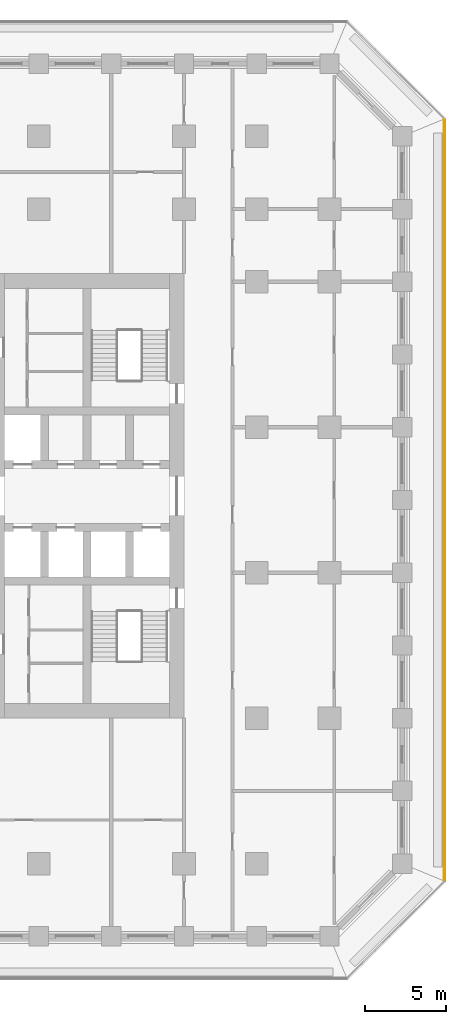
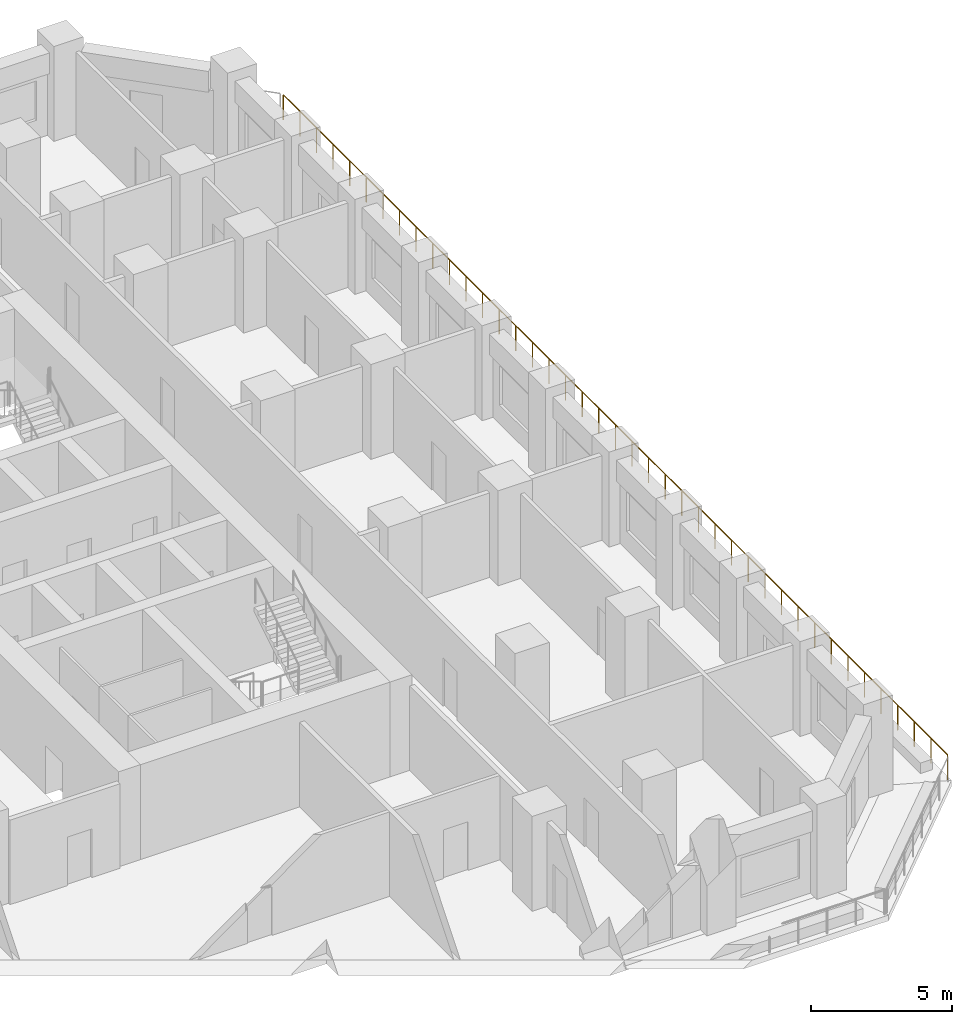
# One storey, part 13 of 17: 1 railing.
"""IFC4 building model written with IfcOpenShell, lengths in metres."""

from ifc_helpers import new_model, si_unit, direction, frame, origin, origin_2d, place, context, subcontext, project, spatial, circle, extrude, material, type_object, element, save


model = new_model("IFC4")

# Units and contexts
model_context = context("Model", 3, precision=1e-05, world=origin(), true_north=direction((0.0, 1.0)))
body_context = subcontext(model_context, "Body", "Model", "MODEL_VIEW")
ifc_project = project(units=[si_unit("LENGTHUNIT", "METRE"), si_unit("AREAUNIT", "SQUARE_METRE"), si_unit("VOLUMEUNIT", "CUBIC_METRE"), si_unit("PLANEANGLEUNIT", "RADIAN"), si_unit("MASSUNIT", "GRAM", prefix="KILO")], contexts=[model_context])

# Site, building, storey
site_placement = place(None, origin())
site = spatial("IfcSite", under=ifc_project, at=site_placement, CompositionType="ELEMENT")
building_placement = place(site_placement, origin())
building = spatial("IfcBuilding", under=site, at=building_placement, Name="Corbel Stack Research Tower", CompositionType="ELEMENT")
storey_placement = place(building_placement, frame((0.0, 0.0, 94.300048828125)))
storey = spatial("IfcBuildingStorey", under=building, at=storey_placement, Name="L21", CompositionType="ELEMENT", Elevation=94.300048828125)

# Railing
ifc_material = material(Name="Powder-coated steel guard", Category="steel")
railing_type = type_object("IfcRailingType", Name="Steel and glass guard 1100", PredefinedType="GUARDRAIL", material=ifc_material)
railing_placement = place(storey_placement, frame((34.10009765625, -19.00537109375, 0.0)))
element("IfcRailing", 1, at=railing_placement, inside=storey, type_object=railing_type, Name="Loggia guard L21 E", PredefinedType="GUARDRAIL", context=body_context, shape_type="SweptSolid", body=[
    extrude(circle(Radius=0.02392578125, at=origin_2d()), frame((0.0, 0.0, 1.076171875), z_axis=(0.0, 1.0, 0.0), x_axis=(-1.0, 0.0, 0.0)), (0.0, 0.0, 1.0), 47.0107421875),
    extrude(circle(Radius=0.02099609375, at=origin_2d()), origin(), (0.0, 0.0, 1.0), 1.052001953125),
    extrude(circle(Radius=0.02099609375, at=origin_2d()), frame((0.0, 1.17529296875, 0.0)), (0.0, 0.0, 1.0), 1.052001953125),
    extrude(circle(Radius=0.02099609375, at=origin_2d()), frame((0.0, 2.3505859375, 0.0)), (0.0, 0.0, 1.0), 1.052001953125),
    extrude(circle(Radius=0.02099609375, at=origin_2d()), frame((0.0, 3.52587890625, 0.0)), (0.0, 0.0, 1.0), 1.052001953125),
    extrude(circle(Radius=0.02099609375, at=origin_2d()), frame((0.0, 4.701171875, 0.0)), (0.0, 0.0, 1.0), 1.052001953125),
    extrude(circle(Radius=0.02099609375, at=origin_2d()), frame((0.0, 5.87646484375, 0.0)), (0.0, 0.0, 1.0), 1.052001953125),
    extrude(circle(Radius=0.02099609375, at=origin_2d()), frame((0.0, 7.051513671875, 0.0)), (0.0, 0.0, 1.0), 1.052001953125),
    extrude(circle(Radius=0.02099609375, at=origin_2d()), frame((0.0, 8.226806640625, 0.0)), (0.0, 0.0, 1.0), 1.052001953125),
    extrude(circle(Radius=0.02099609375, at=origin_2d()), frame((0.0, 9.402099609375, 0.0)), (0.0, 0.0, 1.0), 1.052001953125),
    extrude(circle(Radius=0.02099609375, at=origin_2d()), frame((0.0, 10.577392578125, 0.0)), (0.0, 0.0, 1.0), 1.052001953125),
    extrude(circle(Radius=0.02099609375, at=origin_2d()), frame((0.0, 11.752685546875, 0.0)), (0.0, 0.0, 1.0), 1.052001953125),
    extrude(circle(Radius=0.02099609375, at=origin_2d()), frame((0.0, 12.927978515625, 0.0)), (0.0, 0.0, 1.0), 1.052001953125),
    extrude(circle(Radius=0.02099609375, at=origin_2d()), frame((0.0, 14.103271484375, 0.0)), (0.0, 0.0, 1.0), 1.052001953125),
    extrude(circle(Radius=0.02099609375, at=origin_2d()), frame((0.0, 15.278564453125, 0.0)), (0.0, 0.0, 1.0), 1.052001953125),
    extrude(circle(Radius=0.02099609375, at=origin_2d()), frame((0.0, 16.453857421875, 0.0)), (0.0, 0.0, 1.0), 1.052001953125),
    extrude(circle(Radius=0.02099609375, at=origin_2d()), frame((0.0, 17.62890625, 0.0)), (0.0, 0.0, 1.0), 1.052001953125),
    extrude(circle(Radius=0.02099609375, at=origin_2d()), frame((0.0, 18.80419921875, 0.0)), (0.0, 0.0, 1.0), 1.052001953125),
    extrude(circle(Radius=0.02099609375, at=origin_2d()), frame((0.0, 19.9794921875, 0.0)), (0.0, 0.0, 1.0), 1.052001953125),
    extrude(circle(Radius=0.02099609375, at=origin_2d()), frame((0.0, 21.15478515625, 0.0)), (0.0, 0.0, 1.0), 1.052001953125),
    extrude(circle(Radius=0.02099609375, at=origin_2d()), frame((0.0, 22.330078125, 0.0)), (0.0, 0.0, 1.0), 1.052001953125),
    extrude(circle(Radius=0.02099609375, at=origin_2d()), frame((0.0, 23.50537109375, 0.0)), (0.0, 0.0, 1.0), 1.052001953125),
    extrude(circle(Radius=0.02099609375, at=origin_2d()), frame((0.0, 24.6806640625, 0.0)), (0.0, 0.0, 1.0), 1.052001953125),
    extrude(circle(Radius=0.02099609375, at=origin_2d()), frame((0.0, 25.85595703125, 0.0)), (0.0, 0.0, 1.0), 1.052001953125),
    extrude(circle(Radius=0.02099609375, at=origin_2d()), frame((0.0, 27.03125, 0.0)), (0.0, 0.0, 1.0), 1.052001953125),
    extrude(circle(Radius=0.02099609375, at=origin_2d()), frame((0.0, 28.20654296875, 0.0)), (0.0, 0.0, 1.0), 1.052001953125),
    extrude(circle(Radius=0.02099609375, at=origin_2d()), frame((0.0, 29.3818359375, 0.0)), (0.0, 0.0, 1.0), 1.052001953125),
    extrude(circle(Radius=0.02099609375, at=origin_2d()), frame((0.0, 30.556884765625, 0.0)), (0.0, 0.0, 1.0), 1.052001953125),
    extrude(circle(Radius=0.02099609375, at=origin_2d()), frame((0.0, 31.732177734375, 0.0)), (0.0, 0.0, 1.0), 1.052001953125),
    extrude(circle(Radius=0.02099609375, at=origin_2d()), frame((0.0, 32.907470703125, 0.0)), (0.0, 0.0, 1.0), 1.052001953125),
    extrude(circle(Radius=0.02099609375, at=origin_2d()), frame((0.0, 34.082763671875, 0.0)), (0.0, 0.0, 1.0), 1.052001953125),
    extrude(circle(Radius=0.02099609375, at=origin_2d()), frame((0.0, 35.258056640625, 0.0)), (0.0, 0.0, 1.0), 1.052001953125),
    extrude(circle(Radius=0.02099609375, at=origin_2d()), frame((0.0, 36.433349609375, 0.0)), (0.0, 0.0, 1.0), 1.052001953125),
    extrude(circle(Radius=0.02099609375, at=origin_2d()), frame((0.0, 37.608642578125, 0.0)), (0.0, 0.0, 1.0), 1.052001953125),
    extrude(circle(Radius=0.02099609375, at=origin_2d()), frame((0.0, 38.783935546875, 0.0)), (0.0, 0.0, 1.0), 1.052001953125),
    extrude(circle(Radius=0.02099609375, at=origin_2d()), frame((0.0, 39.959228515625, 0.0)), (0.0, 0.0, 1.0), 1.052001953125),
    extrude(circle(Radius=0.02099609375, at=origin_2d()), frame((0.0, 41.13427734375, 0.0)), (0.0, 0.0, 1.0), 1.052001953125),
    extrude(circle(Radius=0.02099609375, at=origin_2d()), frame((0.0, 42.3095703125, 0.0)), (0.0, 0.0, 1.0), 1.052001953125),
    extrude(circle(Radius=0.02099609375, at=origin_2d()), frame((0.0, 43.48486328125, 0.0)), (0.0, 0.0, 1.0), 1.052001953125),
    extrude(circle(Radius=0.02099609375, at=origin_2d()), frame((0.0, 44.66015625, 0.0)), (0.0, 0.0, 1.0), 1.052001953125),
    extrude(circle(Radius=0.02099609375, at=origin_2d()), frame((0.0, 45.83544921875, 0.0)), (0.0, 0.0, 1.0), 1.052001953125),
    extrude(circle(Radius=0.02099609375, at=origin_2d()), frame((0.0, 47.0107421875, 0.0)), (0.0, 0.0, 1.0), 1.052001953125),
])

save(model, "model.ifc")
